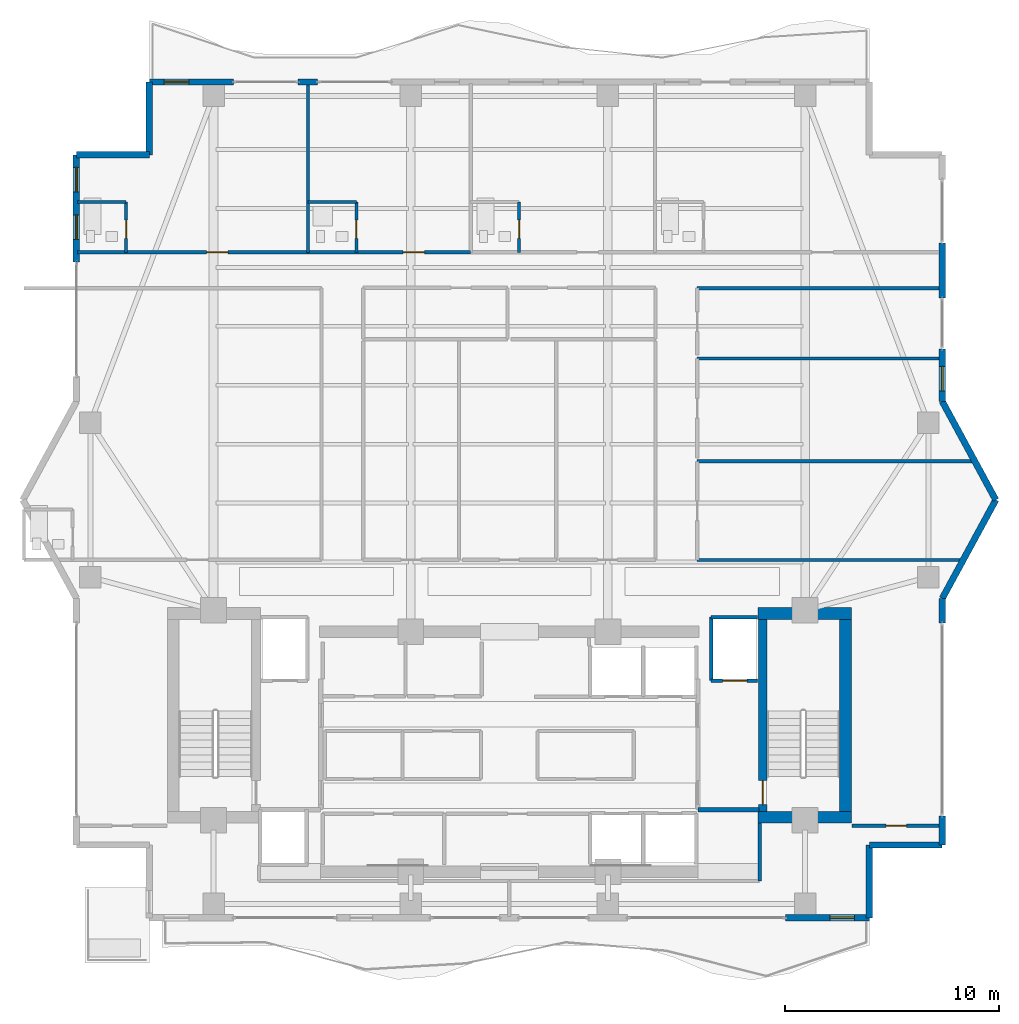
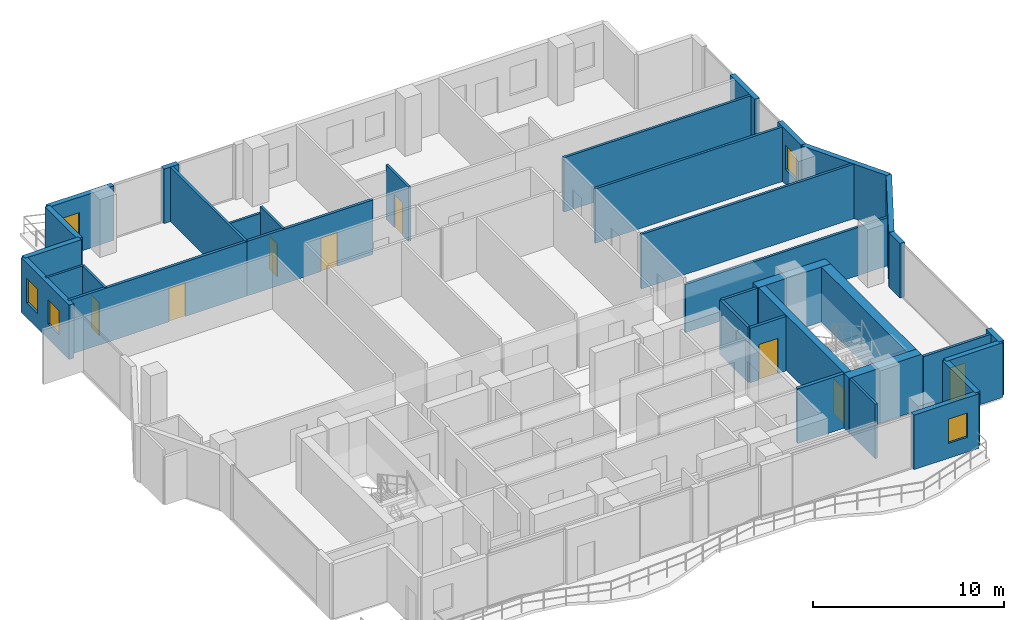
# One storey, part 20 of 24: 36 walls, 8 doors, 5 windows, 13 openings.
"""IFC4 building model written with IfcOpenShell, lengths in metres."""

from ifc_helpers import new_model, si_unit, direction, frame, frame_2d, origin, place, context, subcontext, project, spatial, rectangle, extrude, material, layer, layer_set, type_object, element, fill, save


model = new_model("IFC4")

# Units and contexts
model_context = context("Model", 3, precision=1e-05, world=origin(), true_north=direction((0.0, 1.0)))
body_context = subcontext(model_context, "Body", "Model", "MODEL_VIEW")
ifc_project = project(units=[si_unit("LENGTHUNIT", "METRE"), si_unit("AREAUNIT", "SQUARE_METRE"), si_unit("VOLUMEUNIT", "CUBIC_METRE"), si_unit("PLANEANGLEUNIT", "RADIAN"), si_unit("MASSUNIT", "GRAM", prefix="KILO")], contexts=[model_context])

# Site, building, storey
site_placement = place(None, origin())
site = spatial("IfcSite", under=ifc_project, at=site_placement, CompositionType="ELEMENT")
building_placement = place(site_placement, origin())
building = spatial("IfcBuilding", under=site, at=building_placement, Name="Zuhayl Quay Hotel", CompositionType="ELEMENT")
storey_placement = place(building_placement, frame((0.0, 0.0, 280.35009765625)))
storey = spatial("IfcBuildingStorey", under=building, at=storey_placement, Name="L71", CompositionType="ELEMENT", Elevation=280.35009765625)

# Walls
ifc_material_1 = material(Name="Concrete C50/60", Category="concrete")
ifc_layer_1 = layer(ifc_material_1, 0.550048828125, Name="Concrete C50/60", Category="concrete")
ifc_layer_set_1 = layer_set([ifc_layer_1], Name="Concrete C50/60")
wall_type_1 = type_object("IfcWallType", Name="WL_CORE_550", PredefinedType="SHEAR", material=ifc_layer_set_1)
wall_1_placement = place(storey_placement, frame((11.60009765625, 14.205078125, 0.0), z_axis=(0.0, 0.0, 1.0), x_axis=(1.0, 0.0, 0.0)))
element("IfcWall", 1, at=wall_1_placement, inside=storey, type_object=wall_type_1, Name="L71 Core Shear Wall CW_NE", PredefinedType="SHEAR", context=body_context, shape_type="SweptSolid", body=[
    extrude(rectangle(XDim=4.35986328125, YDim=0.550048828125, at=frame_2d((2.179931640625, 0.0))), origin(), (0.0, 0.0, 1.0), 3.510009765625),
])
wall_2_placement = place(storey_placement, frame((15.68505859375, 4.969970703125, 0.0), z_axis=(0.0, 0.0, 1.0), x_axis=(0.0, 1.0, 0.0)))
element("IfcWall", 2, at=wall_2_placement, inside=storey, type_object=wall_type_1, Name="L71 Core Shear Wall CW_E", PredefinedType="SHEAR", context=body_context, shape_type="SweptSolid", body=[
    extrude(rectangle(XDim=8.9599609375, YDim=0.550048828125, at=frame_2d((4.47998046875, 0.0))), origin(), (0.0, 0.0, 1.0), 3.510009765625),
])
wall_3_placement = place(storey_placement, frame((11.60009765625, 4.695068359375, 0.0), z_axis=(0.0, 0.0, 1.0), x_axis=(1.0, 0.0, 0.0)))
element("IfcWall", 3, at=wall_3_placement, inside=storey, type_object=wall_type_1, Name="L71 Core Shear Wall CW_SE", PredefinedType="SHEAR", context=body_context, shape_type="SweptSolid", body=[
    extrude(rectangle(XDim=4.35986328125, YDim=0.550048828125, at=frame_2d((2.179931640625, 0.0))), origin(), (0.0, 0.0, 1.0), 3.510009765625),
])

# Wall, openings, windows
ifc_material_2 = material(Name="Precast concrete C45/55", Category="concrete")
ifc_layer_2 = layer(ifc_material_2, 0.300048828125, Name="Precast concrete C45/55", Category="concrete")
ifc_layer_set_2 = layer_set([ifc_layer_2], Name="Precast concrete C45/55")
wall_type_2 = type_object("IfcWallType", Name="WL_EXT_300", PredefinedType="STANDARD", material=ifc_layer_set_2)
wall_4_placement = place(storey_placement, frame((-20.199951171875, 30.60009765625, 0.0), z_axis=(0.0, 0.0, 1.0), x_axis=(0.0, 1.0, 0.0)))
wall_4 = element("IfcWall", 4, at=wall_4_placement, inside=storey, type_object=wall_type_2, Name="L71 Exterior Precast Wall ENV_L71_E05_EW2", PredefinedType="STANDARD", context=body_context, shape_type="SweptSolid", body=[
    extrude(rectangle(XDim=5.0, YDim=0.300048828125, at=frame_2d((2.5, 0.0))), origin(), (0.0, 0.0, 1.0), 3.47998046875),
])
opening_1_placement = place(wall_4_placement, frame((1.054931640625, 0.0, 0.949951171875)))
opening_1 = element("IfcOpeningElement", 5, at=opening_1_placement, cuts=wall_4, Name="Opening W01N", PredefinedType="OPENING", context=body_context, shape_type="SweptSolid", body=[
    extrude(rectangle(XDim=1.14990234375, YDim=1.550048828125, at=frame_2d((0.574951171875, 0.77490234375))), frame((0.0, 0.159912109375, 0.0), z_axis=(0.0, -1.0, 0.0), x_axis=(1.0, 0.0, 0.0)), (0.0, 0.0, 1.0), 0.320068359375),
])
opening_2_placement = place(wall_4_placement, frame((3.27001953125, 0.0, 0.949951171875)))
opening_2 = element("IfcOpeningElement", 6, at=opening_2_placement, cuts=wall_4, Name="Opening W01N", PredefinedType="OPENING", context=body_context, shape_type="SweptSolid", body=[
    extrude(rectangle(XDim=1.14990234375, YDim=1.550048828125, at=frame_2d((0.574951171875, 0.77490234375))), frame((0.0, 0.159912109375, 0.0), z_axis=(0.0, -1.0, 0.0), x_axis=(1.0, 0.0, 0.0)), (0.0, 0.0, 1.0), 0.320068359375),
])
ifc_material_3 = material(Name="Dark Ceramic-Fritted Solar Glass", Category="glass")
window_type = type_object("IfcWindowType", Name="WN_NOTCH_1350", PartitioningType="SINGLE_PANEL", PredefinedType="WINDOW", material=ifc_material_3)
window_1_placement = place(opening_1_placement, origin())
window_1 = element("IfcWindow", 7, at=window_1_placement, inside=storey, type_object=window_type, Name="L71 Operable Facade Window 2-1", OverallHeight=1.550048828125, OverallWidth=1.14990234375, PartitioningType="SINGLE_PANEL", PredefinedType="WINDOW", context=body_context, shape_type="SweptSolid", body=[
    extrude(rectangle(XDim=1.14990234375, YDim=1.550048828125, at=frame_2d((0.574951171875, 0.77490234375))), frame((0.0, 0.030029296875, 0.0), z_axis=(0.0, -1.0, 0.0), x_axis=(1.0, 0.0, 0.0)), (0.0, 0.0, 1.0), 0.06005859375),
])
fill(opening_1, window_1)
window_2_placement = place(opening_2_placement, origin())
window_2 = element("IfcWindow", 8, at=window_2_placement, inside=storey, type_object=window_type, Name="L71 Operable Facade Window 2-2", OverallHeight=1.550048828125, OverallWidth=1.14990234375, PartitioningType="SINGLE_PANEL", PredefinedType="WINDOW", context=body_context, shape_type="SweptSolid", body=[
    extrude(rectangle(XDim=1.14990234375, YDim=1.550048828125, at=frame_2d((0.574951171875, 0.77490234375))), frame((0.0, 0.030029296875, 0.0), z_axis=(0.0, -1.0, 0.0), x_axis=(1.0, 0.0, 0.0)), (0.0, 0.0, 1.0), 0.06005859375),
])
fill(opening_2, window_2)

# Walls
for number, where, z_axis, x_axis, name in (
    (9, (-20.199951171875, 35.60009765625, 0.0), (0.0, 0.0, 1.0), (1.0, 0.0, 0.0), "L71 Exterior Precast Wall ENV_L71_EW06"),
    (10, (-16.800048828125, 35.60009765625, 0.0), (0.0, 0.0, 1.0), (0.0, 1.0, 0.0), "L71 Exterior Precast Wall ENV_L71_EW07"),
):
    element("IfcWall", number, at=place(storey_placement, frame(where, z_axis=z_axis, x_axis=x_axis)), inside=storey, type_object=wall_type_2, Name=name, PredefinedType="STANDARD", context=body_context, shape_type="SweptSolid", body=[
        extrude(rectangle(XDim=3.39990234375, YDim=0.300048828125, at=frame_2d((1.699951171875, 0.0))), origin(), (0.0, 0.0, 1.0), 3.47998046875),
    ])

# Wall, opening, window
wall_5_placement = place(storey_placement, frame((-16.800048828125, 39.0, 0.0), z_axis=(0.0, 0.0, 1.0), x_axis=(1.0, 0.0, 0.0)))
wall_5 = element("IfcWall", 11, at=wall_5_placement, inside=storey, type_object=wall_type_2, Name="L71 Exterior Precast Wall ENV_L71_N_EW1", PredefinedType="STANDARD", context=body_context, shape_type="SweptSolid", body=[
    extrude(rectangle(XDim=3.920166015625, YDim=0.300048828125, at=frame_2d((1.9599609375, 0.0))), origin(), (0.0, 0.0, 1.0), 3.47998046875),
])
opening_3_placement = place(wall_5_placement, frame((0.695068359375, 0.0, 0.949951171875)))
opening_3 = element("IfcOpeningElement", 12, at=opening_3_placement, cuts=wall_5, Name="Opening W01N", PredefinedType="OPENING", context=body_context, shape_type="SweptSolid", body=[
    extrude(rectangle(XDim=1.14990234375, YDim=1.550048828125, at=frame_2d((0.574951171875, 0.77490234375))), frame((0.0, 0.159912109375, 0.0), z_axis=(0.0, -1.0, 0.0), x_axis=(1.0, 0.0, 0.0)), (0.0, 0.0, 1.0), 0.320068359375),
])
window_3_placement = place(opening_3_placement, origin())
window_3 = element("IfcWindow", 13, at=window_3_placement, inside=storey, type_object=window_type, Name="L71 Operable Facade Window 1-1", OverallHeight=1.550048828125, OverallWidth=1.14990234375, PartitioningType="SINGLE_PANEL", PredefinedType="WINDOW", context=body_context, shape_type="SweptSolid", body=[
    extrude(rectangle(XDim=1.14990234375, YDim=1.550048828125, at=frame_2d((0.574951171875, 0.77490234375))), frame((0.0, 0.030029296875, 0.0), z_axis=(0.0, -1.0, 0.0), x_axis=(1.0, 0.0, 0.0)), (0.0, 0.0, 1.0), 0.06005859375),
])
fill(opening_3, window_3)

# Walls
wall_6_placement = place(storey_placement, frame((-9.85009765625, 39.0, 0.0), z_axis=(0.0, 0.0, 1.0), x_axis=(1.0, 0.0, 0.0)))
element("IfcWall", 14, at=wall_6_placement, inside=storey, type_object=wall_type_2, Name="L71 Exterior Precast Wall ENV_L71_N_EW2", PredefinedType="STANDARD", context=body_context, shape_type="SweptSolid", body=[
    extrude(rectangle(XDim=0.900146484375, YDim=0.300048828125, at=frame_2d((0.4501953125, 0.0))), origin(), (0.0, 0.0, 1.0), 3.47998046875),
])
wall_7_placement = place(storey_placement, frame((20.199951171875, 31.5, 0.0), z_axis=(0.0, 0.0, 1.0), x_axis=(0.0, -1.0, 0.0)))
element("IfcWall", 15, at=wall_7_placement, inside=storey, type_object=wall_type_2, Name="L71 Exterior Precast Wall ENV_L71_E11_EW2", PredefinedType="STANDARD", context=body_context, shape_type="SweptSolid", body=[
    extrude(rectangle(XDim=2.570068359375, YDim=0.300048828125, at=frame_2d((1.28515625, 0.0))), origin(), (0.0, 0.0, 1.0), 3.47998046875),
])

# Wall, opening, window
wall_8_placement = place(storey_placement, frame((20.199951171875, 26.550048828125, 0.0), z_axis=(0.0, 0.0, 1.0), x_axis=(0.0, -1.0, 0.0)))
wall_8 = element("IfcWall", 16, at=wall_8_placement, inside=storey, type_object=wall_type_2, Name="L71 Exterior Precast Wall ENV_L71_E11_EW3", PredefinedType="STANDARD", context=body_context, shape_type="SweptSolid", body=[
    extrude(rectangle(XDim=2.449951171875, YDim=0.300048828125, at=frame_2d((1.22509765625, 0.0))), origin(), (0.0, 0.0, 1.0), 3.47998046875),
])
opening_4_placement = place(wall_8_placement, frame((0.81494140625, 0.0, 0.949951171875)))
opening_4 = element("IfcOpeningElement", 17, at=opening_4_placement, cuts=wall_8, Name="Opening W01N", PredefinedType="OPENING", context=body_context, shape_type="SweptSolid", body=[
    extrude(rectangle(XDim=1.14990234375, YDim=1.550048828125, at=frame_2d((0.574951171875, 0.77490234375))), frame((0.0, 0.159912109375, 0.0), z_axis=(0.0, -1.0, 0.0), x_axis=(1.0, 0.0, 0.0)), (0.0, 0.0, 1.0), 0.320068359375),
])
window_4_placement = place(opening_4_placement, origin())
window_4 = element("IfcWindow", 18, at=window_4_placement, inside=storey, type_object=window_type, Name="L71 Operable Facade Window 3-1", OverallHeight=1.550048828125, OverallWidth=1.14990234375, PartitioningType="SINGLE_PANEL", PredefinedType="WINDOW", context=body_context, shape_type="SweptSolid", body=[
    extrude(rectangle(XDim=1.14990234375, YDim=1.550048828125, at=frame_2d((0.574951171875, 0.77490234375))), frame((0.0, 0.030029296875, 0.0), z_axis=(0.0, -1.0, 0.0), x_axis=(1.0, 0.0, 0.0)), (0.0, 0.0, 1.0), 0.06005859375),
])
fill(opening_4, window_4)

# Walls
for number, where, z_axis, x_axis, name in (
    (19, (20.199951171875, 24.10009765625, 0.0), (0.0, 0.0, 1.0), (0.477505494629, -0.878628762675, 0.0), "L71 Exterior Precast Wall ENV_L71_EW12"),
    (20, (22.699951171875, 19.5, 0.0), (0.0, 0.0, 1.0), (-0.477505494629, -0.878628762675, 0.0), "L71 Exterior Precast Wall ENV_L71_EW13"),
):
    element("IfcWall", number, at=place(storey_placement, frame(where, z_axis=z_axis, x_axis=x_axis)), inside=storey, type_object=wall_type_2, Name=name, PredefinedType="STANDARD", context=body_context, shape_type="SweptSolid", body=[
        extrude(rectangle(XDim=5.235595703125, YDim=0.300048828125, at=frame_2d((2.61767578125, 0.0))), origin(), (0.0, 0.0, 1.0), 3.47998046875),
    ])
wall_9_placement = place(storey_placement, frame((20.199951171875, 14.89990234375, 0.0), z_axis=(0.0, 0.0, 1.0), x_axis=(0.0, -1.0, 0.0)))
element("IfcWall", 21, at=wall_9_placement, inside=storey, type_object=wall_type_2, Name="L71 Exterior Precast Wall ENV_L71_E14_EW1", PredefinedType="STANDARD", context=body_context, shape_type="SweptSolid", body=[
    extrude(rectangle(XDim=1.14990234375, YDim=0.300048828125, at=frame_2d((0.574951171875, 0.0))), origin(), (0.0, 0.0, 1.0), 3.47998046875),
])
wall_10_placement = place(storey_placement, frame((20.199951171875, 4.75, 0.0), z_axis=(0.0, 0.0, 1.0), x_axis=(0.0, -1.0, 0.0)))
element("IfcWall", 22, at=wall_10_placement, inside=storey, type_object=wall_type_2, Name="L71 Exterior Precast Wall ENV_L71_E14_EW2", PredefinedType="STANDARD", context=body_context, shape_type="SweptSolid", body=[
    extrude(rectangle(XDim=1.35009765625, YDim=0.300048828125, at=frame_2d((0.675048828125, 0.0))), origin(), (0.0, 0.0, 1.0), 3.47998046875),
])
for number, where, z_axis, x_axis, name in (
    (23, (20.199951171875, 3.39990234375, 0.0), (0.0, 0.0, 1.0), (-1.0, 0.0, 0.0), "L71 Exterior Precast Wall ENV_L71_EW15"),
    (24, (16.800048828125, 3.39990234375, 0.0), (0.0, 0.0, 1.0), (0.0, -1.0, 0.0), "L71 Exterior Precast Wall ENV_L71_EW16"),
):
    element("IfcWall", number, at=place(storey_placement, frame(where, z_axis=z_axis, x_axis=x_axis)), inside=storey, type_object=wall_type_2, Name=name, PredefinedType="STANDARD", context=body_context, shape_type="SweptSolid", body=[
        extrude(rectangle(XDim=3.39990234375, YDim=0.300048828125, at=frame_2d((1.699951171875, 0.0))), origin(), (0.0, 0.0, 1.0), 3.47998046875),
    ])

# Wall, opening, window
wall_11_placement = place(storey_placement, frame((16.800048828125, 0.0, 0.0), z_axis=(0.0, 0.0, 1.0), x_axis=(-1.0, 0.0, 0.0)))
wall_11 = element("IfcWall", 25, at=wall_11_placement, inside=storey, type_object=wall_type_2, Name="L71 Exterior Precast Wall ENV_L71_S_EW1", PredefinedType="STANDARD", context=body_context, shape_type="SweptSolid", body=[
    extrude(rectangle(XDim=3.920166015625, YDim=0.300048828125, at=frame_2d((1.9599609375, 0.0))), origin(), (0.0, 0.0, 1.0), 3.47998046875),
])
opening_5_placement = place(wall_11_placement, frame((0.695068359375, 0.0, 0.949951171875)))
opening_5 = element("IfcOpeningElement", 26, at=opening_5_placement, cuts=wall_11, Name="Opening W01N", PredefinedType="OPENING", context=body_context, shape_type="SweptSolid", body=[
    extrude(rectangle(XDim=1.14990234375, YDim=1.550048828125, at=frame_2d((0.574951171875, 0.77490234375))), frame((0.0, 0.159912109375, 0.0), z_axis=(0.0, -1.0, 0.0), x_axis=(1.0, 0.0, 0.0)), (0.0, 0.0, 1.0), 0.320068359375),
])
window_5_placement = place(opening_5_placement, origin())
window_5 = element("IfcWindow", 27, at=window_5_placement, inside=storey, type_object=window_type, Name="L71 Operable Facade Window 1-1", OverallHeight=1.550048828125, OverallWidth=1.14990234375, PartitioningType="SINGLE_PANEL", PredefinedType="WINDOW", context=body_context, shape_type="SweptSolid", body=[
    extrude(rectangle(XDim=1.14990234375, YDim=1.550048828125, at=frame_2d((0.574951171875, 0.77490234375))), frame((0.0, 0.030029296875, 0.0), z_axis=(0.0, -1.0, 0.0), x_axis=(1.0, 0.0, 0.0)), (0.0, 0.0, 1.0), 0.06005859375),
])
fill(opening_5, window_5)

# Walls
ifc_material_4 = material(Name="Acoustic Gypsum Partition STC-58")
ifc_layer_3 = layer(ifc_material_4, 0.14990234375, Name="Acoustic Gypsum Partition STC-58")
ifc_layer_set_3 = layer_set([ifc_layer_3], Name="Acoustic Gypsum Partition STC-58")
wall_type_3 = type_object("IfcWallType", Name="WL_PART_150", PredefinedType="PARTITIONING", material=ifc_layer_set_3)
wall_12_placement = place(storey_placement, frame((11.679931640625, 1.719970703125, 0.0), z_axis=(0.0, 0.0, 1.0), x_axis=(0.0, 1.0, 0.0)))
element("IfcWall", 28, at=wall_12_placement, inside=storey, type_object=wall_type_3, Name="L71 Partition IW_L71_Z4_SUN_SE_IN", PredefinedType="PARTITIONING", context=body_context, shape_type="SweptSolid", body=[
    extrude(rectangle(XDim=2.699951171875, YDim=0.14990234375, at=frame_2d((1.35009765625, 0.0))), origin(), (0.0, 0.0, 1.0), 3.47998046875),
])
wall_13_placement = place(storey_placement, frame((-9.39990234375, 31.050048828125, 0.0), z_axis=(0.0, 0.0, 1.0), x_axis=(0.0, 1.0, 0.0)))
element("IfcWall", 29, at=wall_13_placement, inside=storey, type_object=wall_type_3, Name="L71 Partition IW_L71_NU01_E", PredefinedType="PARTITIONING", context=body_context, shape_type="SweptSolid", body=[
    extrude(rectangle(XDim=7.869873046875, YDim=0.14990234375, at=frame_2d((3.93505859375, 0.0))), origin(), (0.0, 0.0, 1.0), 3.47998046875),
])
wall_14_placement = place(storey_placement, frame((8.760009765625, 16.699951171875, 0.0), z_axis=(0.0, 0.0, 1.0), x_axis=(1.0, 0.0, 0.0)))
element("IfcWall", 30, at=wall_14_placement, inside=storey, type_object=wall_type_3, Name="L71 Partition IW_L71_Z4_V5E1_S", PredefinedType="PARTITIONING", context=body_context, shape_type="SweptSolid", body=[
    extrude(rectangle(XDim=12.3583984375, YDim=0.14990234375, at=frame_2d((6.17919921875, 0.0))), origin(), (0.0, 0.0, 1.0), 3.075927734375),
])
wall_15_placement = place(storey_placement, frame((8.760009765625, 21.300048828125, 0.0), z_axis=(0.0, 0.0, 1.0), x_axis=(1.0, 0.0, 0.0)))
element("IfcWall", 31, at=wall_15_placement, inside=storey, type_object=wall_type_3, Name="L71 Partition IW_L71_Z4_V5E1_N", PredefinedType="PARTITIONING", context=body_context, shape_type="SweptSolid", body=[
    extrude(rectangle(XDim=12.901611328125, YDim=0.14990234375, at=frame_2d((6.45068359375, 0.0))), origin(), (0.0, 0.0, 1.0), 3.47998046875),
])
for number, where, z_axis, x_axis, name in (
    (32, (8.760009765625, 26.10009765625, 0.0), (0.0, 0.0, 1.0), (1.0, 0.0, 0.0), "L71 Partition IW_L71_Z4_V5E2_N"),
    (33, (8.760009765625, 29.3798828125, 0.0), (0.0, 0.0, 1.0), (1.0, 0.0, 0.0), "L71 Partition IW_L71_Z4_V5E3_N"),
):
    element("IfcWall", number, at=place(storey_placement, frame(where, z_axis=z_axis, x_axis=x_axis)), inside=storey, type_object=wall_type_3, Name=name, PredefinedType="PARTITIONING", context=body_context, shape_type="SweptSolid", body=[
        extrude(rectangle(XDim=11.3798828125, YDim=0.14990234375, at=frame_2d((5.68994140625, 0.0))), origin(), (0.0, 0.0, 1.0), 3.47998046875),
    ])

# Wall, opening, door
ifc_layer_4 = layer(ifc_material_4, 0.159912109375, Name="Acoustic Gypsum Partition STC-58")
ifc_layer_set_4 = layer_set([ifc_layer_4], Name="Acoustic Gypsum Partition STC-58")
wall_type_4 = type_object("IfcWallType", Name="WL_PART_CORR_160", PredefinedType="PARTITIONING", material=ifc_layer_set_4)
wall_16_placement = place(storey_placement, frame((15.97998046875, 4.300048828125, 0.0), z_axis=(0.0, 0.0, 1.0), x_axis=(1.0, 0.0, 0.0)))
wall_16 = element("IfcWall", 34, at=wall_16_placement, inside=storey, type_object=wall_type_4, Name="L71 Partition IW_L71_Z4_SUN_SE_N", PredefinedType="PARTITIONING", context=body_context, shape_type="SweptSolid", body=[
    extrude(rectangle(XDim=4.159912109375, YDim=0.159912109375, at=frame_2d((2.080078125, 0.0))), origin(), (0.0, 0.0, 1.0), 3.47998046875),
])
opening_6_placement = place(wall_16_placement, frame((1.60498046875, 0.0, 0.0)))
opening_6 = element("IfcOpeningElement", 35, at=opening_6_placement, cuts=wall_16, Name="Opening D03", PredefinedType="OPENING", context=body_context, shape_type="SweptSolid", body=[
    extrude(rectangle(XDim=0.949951171875, YDim=2.14990234375, at=frame_2d((0.47509765625, 1.074951171875))), frame((0.0, 0.08984375, 0.0), z_axis=(0.0, -1.0, 0.0), x_axis=(1.0, 0.0, 0.0)), (0.0, 0.0, 1.0), 0.179931640625),
])
ifc_material_5 = material(Name="Solid Walnut Acoustic Fire Door")
door_type_1 = type_object("IfcDoorType", Name="DR_SUITE_950", OperationType="NOTDEFINED", PredefinedType="DOOR", material=ifc_material_5)
door_1_placement = place(opening_6_placement, origin())
door_1 = element("IfcDoor", 36, at=door_1_placement, inside=storey, type_object=door_type_1, Name="L71 Sunset Salon SE Door", OperationType="SINGLE_SWING_RIGHT", OverallHeight=2.14990234375, OverallWidth=0.949951171875, PredefinedType="DOOR", context=body_context, shape_type="SweptSolid", body=[
    extrude(rectangle(XDim=0.949951171875, YDim=2.14990234375, at=frame_2d((0.47509765625, 1.074951171875))), frame((0.0, 0.02490234375, 0.0), z_axis=(0.0, -1.0, 0.0), x_axis=(1.0, 0.0, 0.0)), (0.0, 0.0, 1.0), 0.050048828125),
])
fill(opening_6, door_1)

wall_17_placement = place(storey_placement, frame((-20.139892578125, 31.050048828125, 0.0), z_axis=(0.0, 0.0, 1.0), x_axis=(1.0, 0.0, 0.0)))
wall_17 = element("IfcWall", 37, at=wall_17_placement, inside=storey, type_object=wall_type_4, Name="L71 Partition IW_L71_NU01_COR", PredefinedType="PARTITIONING", context=body_context, shape_type="SweptSolid", body=[
    extrude(rectangle(XDim=10.739990234375, YDim=0.159912109375, at=frame_2d((5.3701171875, 0.0))), origin(), (0.0, 0.0, 1.0), 3.47998046875),
])
opening_7_placement = place(wall_17_placement, frame((6.02001953125, 0.0, 0.0)))
opening_7 = element("IfcOpeningElement", 38, at=opening_7_placement, cuts=wall_17, Name="Opening D03L", PredefinedType="OPENING", context=body_context, shape_type="SweptSolid", body=[
    extrude(rectangle(XDim=1.0, YDim=2.14990234375, at=frame_2d((0.5, 1.074951171875))), frame((0.0, 0.08984375, 0.0), z_axis=(0.0, -1.0, 0.0), x_axis=(1.0, 0.0, 0.0)), (0.0, 0.0, 1.0), 0.179931640625),
])
door_type_2 = type_object("IfcDoorType", Name="DR_SUITE_1000", OperationType="NOTDEFINED", PredefinedType="DOOR", material=ifc_material_5)
door_2_placement = place(opening_7_placement, origin())
door_2 = element("IfcDoor", 39, at=door_2_placement, inside=storey, type_object=door_type_2, Name="L71 Royal Gulf Suite L71-01 Entrance Door", OperationType="SINGLE_SWING_RIGHT", OverallHeight=2.14990234375, OverallWidth=1.0, PredefinedType="DOOR", context=body_context, shape_type="SweptSolid", body=[
    extrude(rectangle(XDim=1.0, YDim=2.14990234375, at=frame_2d((0.5, 1.074951171875))), frame((0.0, 0.02490234375, 0.0), z_axis=(0.0, -1.0, 0.0), x_axis=(1.0, 0.0, 0.0)), (0.0, 0.0, 1.0), 0.050048828125),
])
fill(opening_7, door_2)

wall_18_placement = place(storey_placement, frame((-9.39990234375, 31.050048828125, 0.0), z_axis=(0.0, 0.0, 1.0), x_axis=(1.0, 0.0, 0.0)))
wall_18 = element("IfcWall", 40, at=wall_18_placement, inside=storey, type_object=wall_type_4, Name="L71 Partition IW_L71_NU02_COR", PredefinedType="PARTITIONING", context=body_context, shape_type="SweptSolid", body=[
    extrude(rectangle(XDim=7.599853515625, YDim=0.159912109375, at=frame_2d((3.7998046875, 0.0))), origin(), (0.0, 0.0, 1.0), 3.47998046875),
])
opening_8_placement = place(wall_18_placement, frame((4.449951171875, 0.0, 0.0)))
opening_8 = element("IfcOpeningElement", 41, at=opening_8_placement, cuts=wall_18, Name="Opening D03L", PredefinedType="OPENING", context=body_context, shape_type="SweptSolid", body=[
    extrude(rectangle(XDim=1.0, YDim=2.14990234375, at=frame_2d((0.5, 1.074951171875))), frame((0.0, 0.08984375, 0.0), z_axis=(0.0, -1.0, 0.0), x_axis=(1.0, 0.0, 0.0)), (0.0, 0.0, 1.0), 0.179931640625),
])
door_3_placement = place(opening_8_placement, origin())
door_3 = element("IfcDoor", 42, at=door_3_placement, inside=storey, type_object=door_type_2, Name="L71 Royal Gulf Suite L71-02 Entrance Door", OperationType="SINGLE_SWING_RIGHT", OverallHeight=2.14990234375, OverallWidth=1.0, PredefinedType="DOOR", context=body_context, shape_type="SweptSolid", body=[
    extrude(rectangle(XDim=1.0, YDim=2.14990234375, at=frame_2d((0.5, 1.074951171875))), frame((0.0, 0.02490234375, 0.0), z_axis=(0.0, -1.0, 0.0), x_axis=(1.0, 0.0, 0.0)), (0.0, 0.0, 1.0), 0.050048828125),
])
fill(opening_8, door_3)

ifc_material_6 = material(Name="Moisture-Resistant Sanitarychase Gypsum")
ifc_layer_5 = layer(ifc_material_6, 0.135009765625, Name="Moisture-Resistant Sanitarychase Gypsum")
ifc_layer_set_5 = layer_set([ifc_layer_5], Name="Moisture-Resistant Sanitarychase Gypsum")
wall_type_5 = type_object("IfcWallType", Name="WL_PART_PLUMB_150", PredefinedType="PLUMBINGWALL", material=ifc_layer_set_5)
wall_19_placement = place(storey_placement, frame((-17.8798828125, 31.050048828125, 0.0), z_axis=(0.0, 0.0, 1.0), x_axis=(0.0, 1.0, 0.0)))
wall_19 = element("IfcWall", 43, at=wall_19_placement, inside=storey, type_object=wall_type_5, Name="L71 Partition IW_L71_NU01_BE", PredefinedType="PLUMBINGWALL", context=body_context, shape_type="SweptSolid", body=[
    extrude(rectangle(XDim=2.35986328125, YDim=0.135009765625, at=frame_2d((1.179931640625, 0.0))), origin(), (0.0, 0.0, 1.0), 3.47998046875),
])
opening_9_placement = place(wall_19_placement, frame((0.64990234375, 0.0, 0.0)))
opening_9 = element("IfcOpeningElement", 44, at=opening_9_placement, cuts=wall_19, Name="Opening D04", PredefinedType="OPENING", context=body_context, shape_type="SweptSolid", body=[
    extrude(rectangle(XDim=0.85009765625, YDim=2.10009765625, at=frame_2d((0.425048828125, 1.050048828125))), frame((0.0, 0.077392578125, 0.0), z_axis=(0.0, -1.0, 0.0), x_axis=(1.0, 0.0, 0.0)), (0.0, 0.0, 1.0), 0.155029296875),
])
ifc_material_7 = material(Name="Moisture-Resistant Walnut Veneer")
door_type_3 = type_object("IfcDoorType", Name="DR_BATH_850", OperationType="NOTDEFINED", PredefinedType="DOOR", material=ifc_material_7)
door_4_placement = place(opening_9_placement, origin())
door_4 = element("IfcDoor", 45, at=door_4_placement, inside=storey, type_object=door_type_3, Name="L71 Royal Gulf Suite L71-01 En-Suite Door", OperationType="SINGLE_SWING_LEFT", OverallHeight=2.10009765625, OverallWidth=0.85009765625, PredefinedType="DOOR", context=body_context, shape_type="SweptSolid", body=[
    extrude(rectangle(XDim=0.85009765625, YDim=2.10009765625, at=frame_2d((0.425048828125, 1.050048828125))), frame((0.0, 0.02490234375, 0.0), z_axis=(0.0, -1.0, 0.0), x_axis=(1.0, 0.0, 0.0)), (0.0, 0.0, 1.0), 0.050048828125),
])
fill(opening_9, door_4)

wall_20_placement = place(storey_placement, frame((-7.139892578125, 31.050048828125, 0.0), z_axis=(0.0, 0.0, 1.0), x_axis=(0.0, 1.0, 0.0)))
wall_20 = element("IfcWall", 46, at=wall_20_placement, inside=storey, type_object=wall_type_5, Name="L71 Partition IW_L71_NU02_BE", PredefinedType="PLUMBINGWALL", context=body_context, shape_type="SweptSolid", body=[
    extrude(rectangle(XDim=2.35986328125, YDim=0.135009765625, at=frame_2d((1.179931640625, 0.0))), origin(), (0.0, 0.0, 1.0), 3.47998046875),
])
opening_10_placement = place(wall_20_placement, frame((0.64990234375, 0.0, 0.0)))
opening_10 = element("IfcOpeningElement", 47, at=opening_10_placement, cuts=wall_20, Name="Opening D04", PredefinedType="OPENING", context=body_context, shape_type="SweptSolid", body=[
    extrude(rectangle(XDim=0.85009765625, YDim=2.10009765625, at=frame_2d((0.425048828125, 1.050048828125))), frame((0.0, 0.077392578125, 0.0), z_axis=(0.0, -1.0, 0.0), x_axis=(1.0, 0.0, 0.0)), (0.0, 0.0, 1.0), 0.155029296875),
])
door_5_placement = place(opening_10_placement, origin())
door_5 = element("IfcDoor", 48, at=door_5_placement, inside=storey, type_object=door_type_3, Name="L71 Royal Gulf Suite L71-02 En-Suite Door", OperationType="SINGLE_SWING_LEFT", OverallHeight=2.10009765625, OverallWidth=0.85009765625, PredefinedType="DOOR", context=body_context, shape_type="SweptSolid", body=[
    extrude(rectangle(XDim=0.85009765625, YDim=2.10009765625, at=frame_2d((0.425048828125, 1.050048828125))), frame((0.0, 0.02490234375, 0.0), z_axis=(0.0, -1.0, 0.0), x_axis=(1.0, 0.0, 0.0)), (0.0, 0.0, 1.0), 0.050048828125),
])
fill(opening_10, door_5)

wall_21_placement = place(storey_placement, frame((0.4599609375, 31.050048828125, 0.0), z_axis=(0.0, 0.0, 1.0), x_axis=(0.0, 1.0, 0.0)))
wall_21 = element("IfcWall", 49, at=wall_21_placement, inside=storey, type_object=wall_type_5, Name="L71 Partition IW_L71_NU03_BE", PredefinedType="PLUMBINGWALL", context=body_context, shape_type="SweptSolid", body=[
    extrude(rectangle(XDim=2.35986328125, YDim=0.135009765625, at=frame_2d((1.179931640625, 0.0))), origin(), (0.0, 0.0, 1.0), 3.47998046875),
])
opening_11_placement = place(wall_21_placement, frame((0.64990234375, 0.0, 0.0)))
opening_11 = element("IfcOpeningElement", 50, at=opening_11_placement, cuts=wall_21, Name="Opening D04", PredefinedType="OPENING", context=body_context, shape_type="SweptSolid", body=[
    extrude(rectangle(XDim=0.85009765625, YDim=2.10009765625, at=frame_2d((0.425048828125, 1.050048828125))), frame((0.0, 0.077392578125, 0.0), z_axis=(0.0, -1.0, 0.0), x_axis=(1.0, 0.0, 0.0)), (0.0, 0.0, 1.0), 0.155029296875),
])
door_6_placement = place(opening_11_placement, origin())
door_6 = element("IfcDoor", 51, at=door_6_placement, inside=storey, type_object=door_type_3, Name="L71 Royal Gulf Suite L71-03 En-Suite Door", OperationType="SINGLE_SWING_LEFT", OverallHeight=2.10009765625, OverallWidth=0.85009765625, PredefinedType="DOOR", context=body_context, shape_type="SweptSolid", body=[
    extrude(rectangle(XDim=0.85009765625, YDim=2.10009765625, at=frame_2d((0.425048828125, 1.050048828125))), frame((0.0, 0.02490234375, 0.0), z_axis=(0.0, -1.0, 0.0), x_axis=(1.0, 0.0, 0.0)), (0.0, 0.0, 1.0), 0.050048828125),
])
fill(opening_11, door_6)

# Walls
wall_22_placement = place(storey_placement, frame((-20.139892578125, 33.409912109375, 0.0), z_axis=(0.0, 0.0, 1.0), x_axis=(1.0, 0.0, 0.0)))
element("IfcWall", 52, at=wall_22_placement, inside=storey, type_object=wall_type_5, Name="L71 Partition IW_L71_NU01_BN", PredefinedType="PLUMBINGWALL", context=body_context, shape_type="SweptSolid", body=[
    extrude(rectangle(XDim=2.260009765625, YDim=0.135009765625, at=frame_2d((1.1298828125, 0.0))), origin(), (0.0, 0.0, 1.0), 3.47998046875),
])
wall_23_placement = place(storey_placement, frame((-9.39990234375, 33.409912109375, 0.0), z_axis=(0.0, 0.0, 1.0), x_axis=(1.0, 0.0, 0.0)))
element("IfcWall", 53, at=wall_23_placement, inside=storey, type_object=wall_type_5, Name="L71 Partition IW_L71_NU02_BN", PredefinedType="PLUMBINGWALL", context=body_context, shape_type="SweptSolid", body=[
    extrude(rectangle(XDim=2.260009765625, YDim=0.135009765625, at=frame_2d((1.1298828125, 0.0))), origin(), (0.0, 0.0, 1.0), 3.075927734375),
])

# Wall, opening, door
ifc_material_8 = material(Name="Gypsum Fireboard Assembly EI-90")
ifc_layer_6 = layer(ifc_material_8, 0.1650390625, Name="Gypsum Fireboard Assembly EI-90")
ifc_layer_set_6 = layer_set([ifc_layer_6], Name="Gypsum Fireboard Assembly EI-90")
wall_type_6 = type_object("IfcWallType", Name="WL_PART_SHAFT_160", PredefinedType="PARTITIONING", material=ifc_layer_set_6)
wall_24_placement = place(storey_placement, frame((9.419921875, 11.070068359375, 0.0), z_axis=(0.0, 0.0, 1.0), x_axis=(1.0, 0.0, 0.0)))
wall_24 = element("IfcWall", 54, at=wall_24_placement, inside=storey, type_object=wall_type_6, Name="L71 Partition IW_L71_SH_FL2_F", PredefinedType="PARTITIONING", context=body_context, shape_type="SweptSolid", body=[
    extrude(rectangle(XDim=2.16015625, YDim=0.1650390625, at=frame_2d((1.080078125, 0.0))), origin(), (0.0, 0.0, 1.0), 3.47998046875),
])
opening_12_placement = place(wall_24_placement, frame((0.530029296875, 0.0, 0.0)))
opening_12 = element("IfcOpeningElement", 55, at=opening_12_placement, cuts=wall_24, Name="Opening LD2", PredefinedType="OPENING", context=body_context, shape_type="SweptSolid", body=[
    extrude(rectangle(XDim=1.14990234375, YDim=2.25, at=frame_2d((0.574951171875, 1.125))), frame((0.0, 0.092529296875, 0.0), z_axis=(0.0, -1.0, 0.0), x_axis=(1.0, 0.0, 0.0)), (0.0, 0.0, 1.0), 0.18505859375),
])
ifc_material_9 = material(Name="Brushed Stainless Steel", Category="steel")
door_type_4 = type_object("IfcDoorType", Name="DR_LIFT_FF_1100", OperationType="SLIDING_TO_LEFT", PredefinedType="DOOR", material=ifc_material_9)
door_7_placement = place(opening_12_placement, origin())
door_7 = element("IfcDoor", 56, at=door_7_placement, inside=storey, type_object=door_type_4, Name="L71 Lift FL2 Sliding Landing Door", OperationType="SLIDING_TO_LEFT", OverallHeight=2.25, OverallWidth=1.14990234375, PredefinedType="DOOR", context=body_context, shape_type="SweptSolid", body=[
    extrude(rectangle(XDim=1.14990234375, YDim=2.25, at=frame_2d((0.574951171875, 1.125))), frame((0.0, 0.02490234375, 0.0), z_axis=(0.0, -1.0, 0.0), x_axis=(1.0, 0.0, 0.0)), (0.0, 0.0, 1.0), 0.050048828125),
])
fill(opening_12, door_7)

# Walls
wall_25_placement = place(storey_placement, frame((9.419921875, 11.070068359375, 0.0), z_axis=(0.0, 0.0, 1.0), x_axis=(0.0, 1.0, 0.0)))
element("IfcWall", 57, at=wall_25_placement, inside=storey, type_object=wall_type_6, Name="L71 Partition IW_L71_SH_FL2_W", PredefinedType="PARTITIONING", context=body_context, shape_type="SweptSolid", body=[
    extrude(rectangle(XDim=2.9599609375, YDim=0.1650390625, at=frame_2d((1.47998046875, 0.0))), origin(), (0.0, 0.0, 1.0), 3.47998046875),
])
wall_26_placement = place(storey_placement, frame((9.419921875, 14.030029296875, 0.0), z_axis=(0.0, 0.0, 1.0), x_axis=(1.0, 0.0, 0.0)))
element("IfcWall", 58, at=wall_26_placement, inside=storey, type_object=wall_type_6, Name="L71 Partition IW_L71_SH_FL2_B", PredefinedType="PARTITIONING", context=body_context, shape_type="SweptSolid", body=[
    extrude(rectangle(XDim=2.16015625, YDim=0.1650390625, at=frame_2d((1.080078125, 0.0))), origin(), (0.0, 0.0, 1.0), 3.47998046875),
])
ifc_material_10 = material(Name="Gypsum Fireboard Assembly EI-120")
ifc_layer_7 = layer(ifc_material_10, 0.199951171875, Name="Gypsum Fireboard Assembly EI-120")
ifc_layer_set_7 = layer_set([ifc_layer_7], Name="Gypsum Fireboard Assembly EI-120")
wall_type_7 = type_object("IfcWallType", Name="WL_PART_SHAFT_200", PredefinedType="PARTITIONING", material=ifc_layer_set_7)
wall_27_placement = place(storey_placement, frame((8.800048828125, 5.050048828125, 0.0), z_axis=(0.0, 0.0, 1.0), x_axis=(1.0, 0.0, 0.0)))
element("IfcWall", 59, at=wall_27_placement, inside=storey, type_object=wall_type_7, Name="L71 Partition IW_L71_FSAE_E_S", PredefinedType="PARTITIONING", context=body_context, shape_type="SweptSolid", body=[
    extrude(rectangle(XDim=2.849853515625, YDim=0.199951171875, at=frame_2d((1.4248046875, 0.0))), origin(), (0.0, 0.0, 1.0), 3.47998046875),
])

# Wall, opening, door
ifc_material_11 = material(Name="Concrete C60/75", Category="concrete")
ifc_layer_8 = layer(ifc_material_11, 0.39990234375, Name="Concrete C60/75", Category="concrete")
ifc_layer_set_8 = layer_set([ifc_layer_8], Name="Concrete C60/75")
wall_type_8 = type_object("IfcWallType", Name="WL_STAIR_400", PredefinedType="SHEAR", material=ifc_layer_set_8)
wall_28_placement = place(storey_placement, frame((11.820068359375, 13.929931640625, 0.0), z_axis=(0.0, 0.0, 1.0), x_axis=(0.0, -1.0, 0.0)))
wall_28 = element("IfcWall", 60, at=wall_28_placement, inside=storey, type_object=wall_type_8, Name="L71 Core Shear Wall SW_ST2", PredefinedType="SHEAR", context=body_context, shape_type="SweptSolid", body=[
    extrude(rectangle(XDim=8.9599609375, YDim=0.39990234375, at=frame_2d((4.47998046875, 0.0))), origin(), (0.0, 0.0, 1.0), 3.510009765625),
])
opening_13_placement = place(wall_28_placement, frame((7.530029296875, 0.0, 0.0)))
opening_13 = element("IfcOpeningElement", 61, at=opening_13_placement, cuts=wall_28, Name="Opening D01", PredefinedType="OPENING", context=body_context, shape_type="SweptSolid", body=[
    extrude(rectangle(XDim=1.1201171875, YDim=2.219970703125, at=frame_2d((0.56005859375, 1.10986328125))), frame((0.0, 0.2099609375, 0.0), z_axis=(0.0, -1.0, 0.0), x_axis=(1.0, 0.0, 0.0)), (0.0, 0.0, 1.0), 0.419921875),
])
ifc_material_12 = material(Name="Steel ASTM A992 Grade 50", Category="steel")
door_type_5 = type_object("IfcDoorType", Name="DR_STAIR_90_1100", OperationType="NOTDEFINED", PredefinedType="DOOR", material=ifc_material_12)
door_8_placement = place(opening_13_placement, origin())
door_8 = element("IfcDoor", 62, at=door_8_placement, inside=storey, type_object=door_type_5, Name="L71 Smokeproof Exit Stair ST2 Door", OperationType="SINGLE_SWING_RIGHT", OverallHeight=2.219970703125, OverallWidth=1.1201171875, PredefinedType="DOOR", context=body_context, shape_type="SweptSolid", body=[
    extrude(rectangle(XDim=1.1201171875, YDim=2.219970703125, at=frame_2d((0.56005859375, 1.10986328125))), frame((0.0, 0.02490234375, 0.0), z_axis=(0.0, -1.0, 0.0), x_axis=(1.0, 0.0, 0.0)), (0.0, 0.0, 1.0), 0.050048828125),
])
fill(opening_13, door_8)

save(model, "model.ifc")
